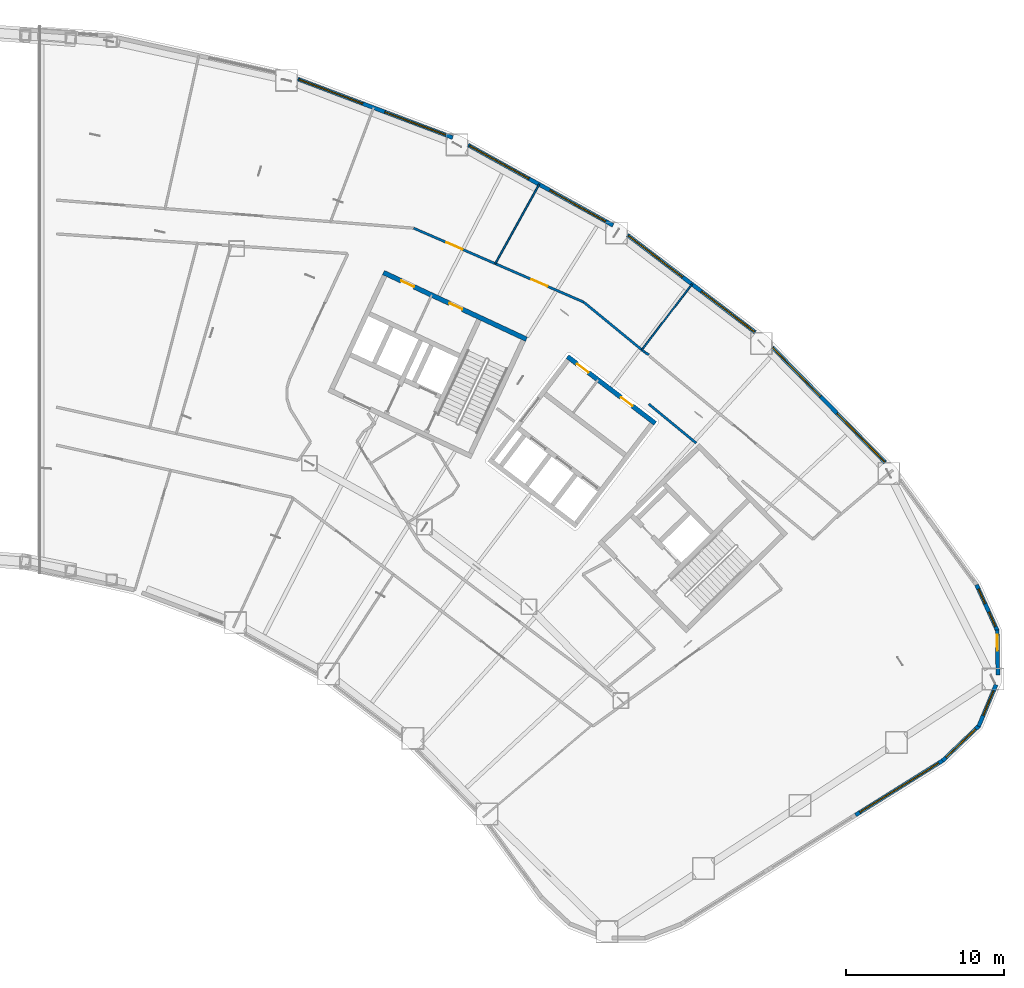
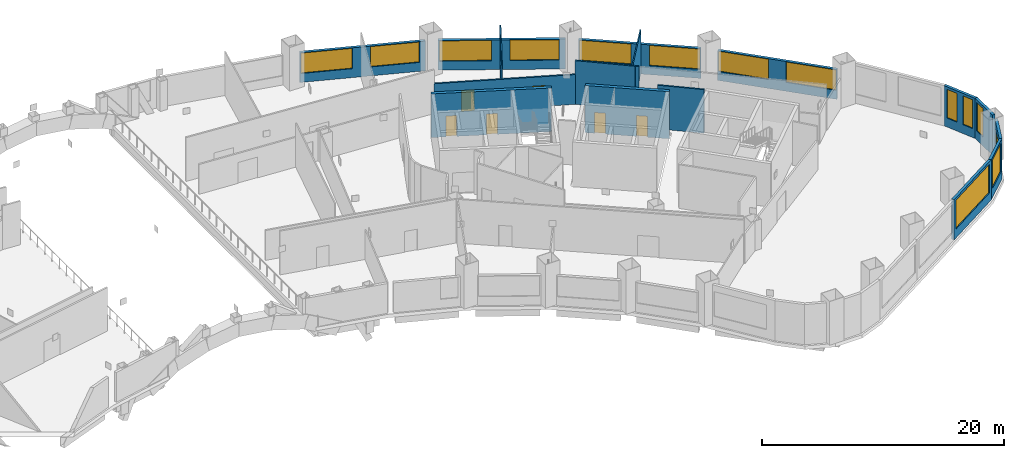
# One storey, part 12 of 24: 17 walls, 14 windows, 6 doors, 20 openings.
"""IFC4 building model written with IfcOpenShell, lengths in metres."""

import ifcopenshell
import ifcopenshell.guid

model = None  # the IFC model being written
_history = None  # IfcOwnerHistory: only IFC2X3 demands one
_inside = {}  # id of a spatial element -> (the spatial element, [elements in it])
_under = {}  # id of a project, library or spatial element -> (it, [spatial elements below it])
_declared = {}  # id of a project -> (the project, [libraries it declares])
_typed = {}  # id of a type object -> (the type object, [elements of that type])
_made_of = {}  # id of a material, layer set ... -> (it, [elements and type objects made of it])


def new_model(schema):
    """Start an empty IFC model of exactly this schema.

    Asked for "IFC4X3", IfcOpenShell would pick the latest addendum, in which some entities
    have other attributes; the version numbers below select the first issue.
    IFC2X3 requires an IfcOwnerHistory on every rooted entity: one is made here for all.
    """
    global model, _history
    if schema == "IFC4X3":
        model = ifcopenshell.file(schema_version=(4, 3, 0, 0))
    else:
        model = ifcopenshell.file(schema=schema)
    _inside.clear()
    _under.clear()
    _declared.clear()
    _typed.clear()
    _made_of.clear()
    _history = None
    if model.schema == "IFC2X3":
        org = make("IfcOrganization", Name="unknown")
        user = make(
            "IfcPersonAndOrganization",
            ThePerson=make("IfcPerson", FamilyName="unknown"),
            TheOrganization=org,
        )
        app = make(
            "IfcApplication",
            ApplicationDeveloper=org,
            Version="unknown",
            ApplicationFullName="unknown",
            ApplicationIdentifier="unknown",
        )
        _history = make(
            "IfcOwnerHistory",
            OwningUser=user,
            OwningApplication=app,
            ChangeAction="ADDED",
            CreationDate=0,
        )
    return model


def make(cls, **values):
    """One entity of the class cls with the attributes given. An attribute that is None is left unset."""
    return model.create_entity(
        cls, **{name: value for name, value in values.items() if value is not None}
    )


def rooted(cls, **values):
    """An entity with a GlobalId (a new one), such as an element, a storey or a relation."""
    return make(cls, GlobalId=ifcopenshell.guid.new(), OwnerHistory=_history, **values)


def si_unit(unit_type, name, prefix=None):
    """IfcSIUnit, for example si_unit("LENGTHUNIT", "METRE", prefix="MILLI")."""
    return make("IfcSIUnit", UnitType=unit_type, Prefix=prefix, Name=name)


def assignment(units):
    """IfcUnitAssignment: the units of a project."""
    return None if units is None else make("IfcUnitAssignment", Units=units)


def point(xyz):
    """IfcCartesianPoint."""
    return None if xyz is None else make("IfcCartesianPoint", Coordinates=xyz)


def direction(xyz):
    """IfcDirection."""
    return None if xyz is None else make("IfcDirection", DirectionRatios=xyz)


def frame(location, z_axis=None, x_axis=None):
    """IfcAxis2Placement3D, a coordinate frame: its origin and axes. An axis left out is left unset."""
    return make(
        "IfcAxis2Placement3D",
        Location=point(location),
        Axis=direction(z_axis),
        RefDirection=direction(x_axis),
    )


def frame_2d(location, x_axis=None):
    """IfcAxis2Placement2D, a coordinate frame in the plane: its origin and x axis."""
    return make(
        "IfcAxis2Placement2D", Location=point(location), RefDirection=direction(x_axis)
    )


def origin():
    """The frame at (0, 0, 0) with its axes left unset."""
    return frame((0.0, 0.0, 0.0))


def place(relative_to, where):
    """IfcLocalPlacement: puts the frame where relative to a parent placement (None: the world)."""
    return make(
        "IfcLocalPlacement", PlacementRelTo=relative_to, RelativePlacement=where
    )


def context(
    kind, dimensions, precision=None, world=None, true_north=None, identifier=None
):
    """IfcGeometricRepresentationContext, for example the 3D "Model" context."""
    return make(
        "IfcGeometricRepresentationContext",
        ContextIdentifier=identifier,
        ContextType=kind,
        CoordinateSpaceDimension=dimensions,
        Precision=precision,
        WorldCoordinateSystem=world,
        TrueNorth=true_north,
    )


def subcontext(parent, identifier, kind, view, scale=None):
    """IfcGeometricRepresentationSubContext, for example "Body" below "Model"."""
    return make(
        "IfcGeometricRepresentationSubContext",
        ContextIdentifier=identifier,
        ContextType=kind,
        ParentContext=parent,
        TargetScale=scale,
        TargetView=view,
    )


def project(units=None, contexts=None):
    """IfcProject with its units and contexts."""
    return rooted(
        "IfcProject",
        Name="project",
        RepresentationContexts=contexts,
        UnitsInContext=assignment(units),
    )


def spatial(cls, under=None, at=None, **own):
    """A site, building, storey or space (cls), placed at a placement, below another one or the project."""
    s = rooted(cls, ObjectPlacement=at, **own)
    if under is not None:
        _under.setdefault(under.id(), (under, []))[1].append(s)
    return s


def profile(cls, at=None, kind="AREA", **sizes):
    """A parametric profile (cls). Its sizes go by their IFC names, for example OverallWidth=200.0."""
    return make(cls, ProfileType=kind, Position=at, **sizes)


def rectangle(**sizes):
    """IfcRectangleProfileDef."""
    return profile("IfcRectangleProfileDef", **sizes)


def extrude(swept, where, along, depth):
    """IfcExtrudedAreaSolid: the profile swept, set in the frame where, extruded along a direction by depth."""
    return make(
        "IfcExtrudedAreaSolid",
        SweptArea=swept,
        Position=where,
        ExtrudedDirection=direction(along),
        Depth=depth,
    )


def shape(context_of_items, identifier, shape_type, items):
    """IfcShapeRepresentation: the items that make up one representation, for example the "Body"."""
    return make(
        "IfcShapeRepresentation",
        ContextOfItems=context_of_items,
        RepresentationIdentifier=identifier,
        RepresentationType=shape_type,
        Items=items,
    )


def material(Name=None, Category=None):
    """IfcMaterial."""
    return make("IfcMaterial", Name=Name, Category=Category)


def layer(
    of_material, thickness, ventilated=None, Name=None, Category=None, Priority=None
):
    """IfcMaterialLayer: one layer of a wall or slab, of a material (None: an air gap)."""
    return make(
        "IfcMaterialLayer",
        Material=of_material,
        LayerThickness=thickness,
        IsVentilated=ventilated,
        Name=Name,
        Category=Category,
        Priority=Priority,
    )


def layer_set(layers, Name=None):
    """IfcMaterialLayerSet."""
    return make("IfcMaterialLayerSet", MaterialLayers=layers, LayerSetName=Name)


def made_of(thing, what):
    """Note that an element or type object is made of a material, layer set ...; save() writes the relation."""
    if what is not None:
        _made_of.setdefault(what.id(), (what, []))[1].append(thing)
    return thing


def type_object(cls, material=None, **own):
    """A type object (cls), such as IfcWallType, which elements share."""
    return made_of(rooted(cls, **own), material)


def element(
    cls,
    number,
    at=None,
    inside=None,
    cuts=None,
    type_object=None,
    material=None,
    context=None,
    identifier="Body",
    shape_type=None,
    held_by="IfcProductDefinitionShape",
    body=None,
    shapes=None,
    **own,
):
    """One element of the class cls, such as IfcWall. Its Tag is "e" and its number.

    at: its placement. inside: the storey or other place that contains it. cuts: it is an
    opening in that element (IfcRelVoidsElement). A single representation is given by context,
    identifier, shape_type and body (its items); several are given by shapes. held_by: the class
    of the entity that holds the representations. save() writes the other relations.
    """
    e = rooted(cls, Tag="e%d" % number, ObjectPlacement=at, **own)
    if body is not None:
        shapes = [shape(context, identifier, shape_type, body)]
    if shapes is not None:
        e.Representation = make(held_by, Representations=shapes)
    if inside is not None:
        _inside.setdefault(inside.id(), (inside, []))[1].append(e)
    if cuts is not None:
        rooted(
            "IfcRelVoidsElement", RelatingBuildingElement=cuts, RelatedOpeningElement=e
        )
    if type_object is not None:
        _typed.setdefault(type_object.id(), (type_object, []))[1].append(e)
    return made_of(e, material)


def fill(opening, filler):
    """IfcRelFillsElement: the door or window that sits in an opening."""
    return rooted(
        "IfcRelFillsElement",
        RelatingOpeningElement=opening,
        RelatedBuildingElement=filler,
    )


def aggregate(whole, parts):
    """IfcRelAggregates: a whole, such as a stair, and the parts it consists of."""
    return rooted("IfcRelAggregates", RelatingObject=whole, RelatedObjects=parts)


def save(model, path):
    """Write the relations noted so far, then the file.

    IfcRelAggregates (storeys below a building ...), IfcRelContainedInSpatialStructure (elements
    in a storey), IfcRelDefinesByType, IfcRelAssociatesMaterial and IfcRelDeclares: one each for
    every whole, place, type object, material and project.
    """
    for whole, parts in _under.values():
        aggregate(whole, parts)
    for where, things in _inside.values():
        rooted(
            "IfcRelContainedInSpatialStructure",
            RelatedElements=things,
            RelatingStructure=where,
        )
    for kind, things in _typed.values():
        rooted("IfcRelDefinesByType", RelatedObjects=things, RelatingType=kind)
    for what, things in _made_of.values():
        rooted("IfcRelAssociatesMaterial", RelatedObjects=things, RelatingMaterial=what)
    for by, libraries in _declared.values():
        rooted("IfcRelDeclares", RelatingContext=by, RelatedDefinitions=libraries)
    model.write(path)


model = new_model("IFC4")

# Units and contexts
model_context = context("Model", 3, precision=1e-05, world=origin(), true_north=direction((0.0, 1.0)))
body_context = subcontext(model_context, "Body", "Model", "MODEL_VIEW")
ifc_project = project(units=[si_unit("LENGTHUNIT", "METRE"), si_unit("AREAUNIT", "SQUARE_METRE"), si_unit("VOLUMEUNIT", "CUBIC_METRE"), si_unit("PLANEANGLEUNIT", "RADIAN"), si_unit("MASSUNIT", "GRAM", prefix="KILO")], contexts=[model_context])

# Site, building, storey
site_placement = place(None, origin())
site = spatial("IfcSite", under=ifc_project, at=site_placement, CompositionType="ELEMENT")
building_placement = place(site_placement, origin())
building = spatial("IfcBuilding", under=site, at=building_placement, Name="Tuul Gate Civic Tower", CompositionType="ELEMENT")
storey_placement = place(building_placement, frame((0.0, 0.0, 21.89990234375)))
storey = spatial("IfcBuildingStorey", under=building, at=storey_placement, Name="Level 04", CompositionType="ELEMENT", Elevation=21.89990234375)

# Wall, openings, doors
ifc_material_1 = material(Name="Concrete C50/60", Category="concrete")
ifc_layer_1 = layer(ifc_material_1, 0.300048828125)
ifc_layer_set_1 = layer_set([ifc_layer_1], Name="Concrete C50/60")
wall_type_1 = type_object("IfcWallType", Name="Core wall C50/60", PredefinedType="SHEAR", material=ifc_layer_set_1)
wall_1_placement = place(storey_placement, frame((37.993408203125, 0.181884765625, 0.0), z_axis=(0.0, 0.0, 1.0), x_axis=(-0.906310338845, 0.422612789327, 0.0)))
wall_1 = element("IfcWall", 1, at=wall_1_placement, inside=storey, type_object=wall_type_1, Name="Core wall", PredefinedType="SHEAR", context=body_context, shape_type="SweptSolid", body=[
    extrude(rectangle(XDim=9.999755859375, YDim=0.300048828125, at=frame_2d((5.0, 0.0))), origin(), (0.0, 0.0, 1.0), 4.400146484375),
])
opening_1_placement = place(wall_1_placement, frame((4.487548828125, 0.0, 0.0)))
opening_1 = element("IfcOpeningElement", 2, at=opening_1_placement, cuts=wall_1, Name="Opening QD-D41", PredefinedType="OPENING", context=body_context, shape_type="SweptSolid", body=[
    extrude(rectangle(XDim=0.89990234375, YDim=2.10009765625, at=frame_2d((0.449951171875, 1.050048828125))), frame((0.0, 0.16015625, 0.0), z_axis=(0.0, -1.0, 0.0), x_axis=(1.0, 0.0, 0.0)), (0.0, 0.0, 1.0), 0.320068359375),
])
opening_2_placement = place(wall_1_placement, frame((7.862548828125, 0.0, 0.0)))
opening_2 = element("IfcOpeningElement", 3, at=opening_2_placement, cuts=wall_1, Name="Opening QD-D42", PredefinedType="OPENING", context=body_context, shape_type="SweptSolid", body=[
    extrude(rectangle(XDim=0.89990234375, YDim=2.10009765625, at=frame_2d((0.449951171875, 1.050048828125))), frame((0.0, 0.16015625, 0.0), z_axis=(0.0, -1.0, 0.0), x_axis=(1.0, 0.0, 0.0)), (0.0, 0.0, 1.0), 0.320068359375),
])
ifc_material_2 = material(Name="Timber door leaf", Category="wood")
door_type_1 = type_object("IfcDoorType", Name="Door D09", OperationType="NOTDEFINED", PredefinedType="DOOR", material=ifc_material_2)
door_1_placement = place(opening_1_placement, origin())
door_1 = element("IfcDoor", 4, at=door_1_placement, inside=storey, type_object=door_type_1, Name="Door QD-D41", OperationType="SINGLE_SWING_LEFT", OverallHeight=2.10009765625, OverallWidth=0.89990234375, PredefinedType="DOOR", context=body_context, shape_type="SweptSolid", body=[
    extrude(rectangle(XDim=0.89990234375, YDim=2.10009765625, at=frame_2d((0.449951171875, 1.050048828125))), frame((0.0, 0.02490234375, 0.0), z_axis=(0.0, -1.0, 0.0), x_axis=(1.0, 0.0, 0.0)), (0.0, 0.0, 1.0), 0.050048828125),
])
fill(opening_1, door_1)
door_2_placement = place(opening_2_placement, origin())
door_2 = element("IfcDoor", 5, at=door_2_placement, inside=storey, type_object=door_type_1, Name="Door QD-D42", OperationType="SINGLE_SWING_RIGHT", OverallHeight=2.10009765625, OverallWidth=0.89990234375, PredefinedType="DOOR", context=body_context, shape_type="SweptSolid", body=[
    extrude(rectangle(XDim=0.89990234375, YDim=2.10009765625, at=frame_2d((0.449951171875, 1.050048828125))), frame((0.0, 0.02490234375, 0.0), z_axis=(0.0, -1.0, 0.0), x_axis=(1.0, 0.0, 0.0)), (0.0, 0.0, 1.0), 0.050048828125),
])
fill(opening_2, door_2)

# Walls
ifc_material_3 = material(Name="Gypsum board partition")
ifc_layer_2 = layer(ifc_material_3, 0.14990234375)
ifc_layer_set_2 = layer_set([ifc_layer_2], Name="Gypsum board partition")
wall_type_2 = type_object("IfcWallType", Name="Corridor wall P150", PredefinedType="PARTITIONING", material=ifc_layer_set_2)
wall_2_placement = place(storey_placement, frame((41.61962890625, 2.536865234375, 0.0), z_axis=(0.0, 0.0, 1.0), x_axis=(0.772606894655, -0.634884703179, 0.0)))
element("IfcWall", 6, at=wall_2_placement, inside=storey, type_object=wall_type_2, Name="p006", PredefinedType="PARTITIONING", context=body_context, shape_type="SweptSolid", body=[
    extrude(rectangle(XDim=5.016845703125, YDim=0.14990234375, at=frame_2d((2.50830078125, 0.0))), origin(), (0.0, 0.0, 1.0), 4.400146484375),
])
wall_3_placement = place(storey_placement, frame((45.498779296875, -0.650634765625, 0.0), z_axis=(0.0, 0.0, 1.0), x_axis=(0.863749703074, -0.503921075605, 0.0)))
element("IfcWall", 7, at=wall_3_placement, inside=storey, type_object=wall_type_2, Name="p008", PredefinedType="PARTITIONING", context=body_context, shape_type="SweptSolid", body=[
    extrude(rectangle(XDim=0.30322265625, YDim=0.14990234375, at=frame_2d((0.151611328125, 0.0))), origin(), (0.0, 0.0, 1.0), 4.400146484375),
])
wall_4_placement = place(storey_placement, frame((45.74658203125, -3.927490234375, 0.0), z_axis=(0.0, 0.0, 1.0), x_axis=(0.77190125522, -0.635742441708, 0.0)))
element("IfcWall", 8, at=wall_4_placement, inside=storey, type_object=wall_type_2, Name="p040", PredefinedType="PARTITIONING", context=body_context, shape_type="SweptSolid", body=[
    extrude(rectangle(XDim=3.890869140625, YDim=0.14990234375, at=frame_2d((1.9453125, 0.0))), origin(), (0.0, 0.0, 1.0), 4.400146484375),
])

# Wall, openings, doors
ifc_material_4 = material(Name="Gypsum board partition")
ifc_layer_3 = layer(ifc_material_4, 0.14990234375)
ifc_layer_set_3 = layer_set([ifc_layer_3], Name="Gypsum board partition")
wall_type_3 = type_object("IfcWallType", Name="Corridor wall P150 3000 HIGH", PredefinedType="PARTITIONING", material=ifc_layer_set_3)
wall_5_placement = place(storey_placement, frame((30.8466796875, 7.22021484375, 0.0), z_axis=(0.0, 0.0, 1.0), x_axis=(0.917093186834, -0.398672906858, 0.0)))
wall_5 = element("IfcWall", 9, at=wall_5_placement, inside=storey, type_object=wall_type_3, Name="p011", PredefinedType="PARTITIONING", context=body_context, shape_type="SweptSolid", body=[
    extrude(rectangle(XDim=11.74560546875, YDim=0.14990234375, at=frame_2d((5.872802734375, 0.0))), origin(), (0.0, 0.0, 1.0), 3.0),
])
opening_3_placement = place(wall_5_placement, frame((8.140869140625, 0.0, 0.0)))
opening_3 = element("IfcOpeningElement", 10, at=opening_3_placement, cuts=wall_5, Name="Opening QD-D02", PredefinedType="OPENING", context=body_context, shape_type="SweptSolid", body=[
    extrude(rectangle(XDim=1.10009765625, YDim=2.10009765625, at=frame_2d((0.550048828125, 1.050048828125))), frame((0.0, 0.0849609375, 0.0), z_axis=(0.0, -1.0, 0.0), x_axis=(1.0, 0.0, 0.0)), (0.0, 0.0, 1.0), 0.169921875),
])
opening_4_placement = place(wall_5_placement, frame((2.26806640625, 0.0, 0.0)))
opening_4 = element("IfcOpeningElement", 11, at=opening_4_placement, cuts=wall_5, Name="Opening QD-D03", PredefinedType="OPENING", context=body_context, shape_type="SweptSolid", body=[
    extrude(rectangle(XDim=1.10009765625, YDim=2.10009765625, at=frame_2d((0.550048828125, 1.050048828125))), frame((0.0, 0.0849609375, 0.0), z_axis=(0.0, -1.0, 0.0), x_axis=(1.0, 0.0, 0.0)), (0.0, 0.0, 1.0), 0.169921875),
])
ifc_material_5 = material(Name="Timber door leaf", Category="wood")
door_type_2 = type_object("IfcDoorType", Name="Door D11", OperationType="NOTDEFINED", PredefinedType="DOOR", material=ifc_material_5)
door_3_placement = place(opening_3_placement, origin())
door_3 = element("IfcDoor", 12, at=door_3_placement, inside=storey, type_object=door_type_2, Name="Door QD-D02", OperationType="SINGLE_SWING_RIGHT", OverallHeight=2.10009765625, OverallWidth=1.10009765625, PredefinedType="DOOR", context=body_context, shape_type="SweptSolid", body=[
    extrude(rectangle(XDim=1.10009765625, YDim=2.10009765625, at=frame_2d((0.550048828125, 1.050048828125))), frame((0.0, 0.02490234375, 0.0), z_axis=(0.0, -1.0, 0.0), x_axis=(1.0, 0.0, 0.0)), (0.0, 0.0, 1.0), 0.050048828125),
])
fill(opening_3, door_3)
door_4_placement = place(opening_4_placement, origin())
door_4 = element("IfcDoor", 13, at=door_4_placement, inside=storey, type_object=door_type_2, Name="Door QD-D03", OperationType="SINGLE_SWING_RIGHT", OverallHeight=2.10009765625, OverallWidth=1.10009765625, PredefinedType="DOOR", context=body_context, shape_type="SweptSolid", body=[
    extrude(rectangle(XDim=1.10009765625, YDim=2.10009765625, at=frame_2d((0.550048828125, 1.050048828125))), frame((0.0, 0.02490234375, 0.0), z_axis=(0.0, -1.0, 0.0), x_axis=(1.0, 0.0, 0.0)), (0.0, 0.0, 1.0), 0.050048828125),
])
fill(opening_4, door_4)

# Wall, opening, window
ifc_material_6 = material(Name="Precast concrete C40/50", Category="concrete")
ifc_layer_4 = layer(ifc_material_6, 0.25)
ifc_layer_set_4 = layer_set([ifc_layer_4], Name="Precast concrete C40/50")
wall_type_4 = type_object("IfcWallType", Name="External wall", PredefinedType="STANDARD", material=ifc_layer_set_4)
wall_6_placement = place(storey_placement, frame((64.36962890625, -26.53076171875, 0.0), z_axis=(0.0, 0.0, 1.0), x_axis=(0.722378510216, 0.69149785826, 0.0)))
wall_6 = element("IfcWall", 14, at=wall_6_placement, inside=storey, type_object=wall_type_4, Name="External wall", PredefinedType="STANDARD", context=body_context, shape_type="SweptSolid", body=[
    extrude(rectangle(XDim=3.201904296875, YDim=0.25, at=frame_2d((1.60107421875, 0.0))), origin(), (0.0, 0.0, 1.0), 4.050048828125),
])
opening_5_placement = place(wall_6_placement, frame((0.301025390625, 0.0, 0.89990234375)))
opening_5 = element("IfcOpeningElement", 15, at=opening_5_placement, cuts=wall_6, Name="Opening W8", PredefinedType="OPENING", context=body_context, shape_type="SweptSolid", body=[
    extrude(rectangle(XDim=2.60009765625, YDim=2.89990234375, at=frame_2d((1.300048828125, 1.449951171875))), frame((0.0, 0.135009765625, 0.0), z_axis=(0.0, -1.0, 0.0), x_axis=(1.0, 0.0, 0.0)), (0.0, 0.0, 1.0), 0.27001953125),
])
ifc_material_7 = material(Name="Glass", Category="glass")
window_type_1 = type_object("IfcWindowType", Name="Window W8 2600 x 2900", PartitioningType="SINGLE_PANEL", PredefinedType="WINDOW", material=ifc_material_7)
window_1_placement = place(opening_5_placement, origin())
window_1 = element("IfcWindow", 16, at=window_1_placement, inside=storey, type_object=window_type_1, Name="Window", OverallHeight=2.89990234375, OverallWidth=2.60009765625, PartitioningType="SINGLE_PANEL", PredefinedType="WINDOW", context=body_context, shape_type="SweptSolid", body=[
    extrude(rectangle(XDim=2.60009765625, YDim=2.89990234375, at=frame_2d((1.300048828125, 1.449951171875))), frame((0.0, 0.030029296875, 0.0), z_axis=(0.0, -1.0, 0.0), x_axis=(1.0, 0.0, 0.0)), (0.0, 0.0, 1.0), 0.06005859375),
])
fill(opening_5, window_1)

wall_7_placement = place(storey_placement, frame((66.653564453125, -24.35888671875, 0.0), z_axis=(0.0, 0.0, 1.0), x_axis=(0.385734891678, 0.92260966467, 0.0)))
wall_7 = element("IfcWall", 17, at=wall_7_placement, inside=storey, type_object=wall_type_4, Name="External wall", PredefinedType="STANDARD", context=body_context, shape_type="SweptSolid", body=[
    extrude(rectangle(XDim=2.864013671875, YDim=0.25, at=frame_2d((1.43212890625, 0.0))), origin(), (0.0, 0.0, 1.0), 4.050048828125),
])
opening_6_placement = place(wall_7_placement, frame((0.7509765625, 0.0, 0.89990234375)))
opening_6 = element("IfcOpeningElement", 18, at=opening_6_placement, cuts=wall_7, Name="Opening W136", PredefinedType="OPENING", context=body_context, shape_type="SweptSolid", body=[
    extrude(rectangle(XDim=1.699951171875, YDim=2.449951171875, at=frame_2d((0.85009765625, 1.22509765625))), frame((0.0, 0.135009765625, 0.0), z_axis=(0.0, -1.0, 0.0), x_axis=(1.0, 0.0, 0.0)), (0.0, 0.0, 1.0), 0.27001953125),
])
ifc_material_8 = material(Name="Glass", Category="glass")
window_type_2 = type_object("IfcWindowType", Name="Window W136 1700 x 2450", PartitioningType="SINGLE_PANEL", PredefinedType="WINDOW", material=ifc_material_8)
window_2_placement = place(opening_6_placement, origin())
window_2 = element("IfcWindow", 19, at=window_2_placement, inside=storey, type_object=window_type_2, Name="Window", OverallHeight=2.449951171875, OverallWidth=1.699951171875, PartitioningType="SINGLE_PANEL", PredefinedType="WINDOW", context=body_context, shape_type="SweptSolid", body=[
    extrude(rectangle(XDim=1.699951171875, YDim=2.449951171875, at=frame_2d((0.85009765625, 1.22509765625))), frame((0.0, 0.030029296875, 0.0), z_axis=(0.0, -1.0, 0.0), x_axis=(1.0, 0.0, 0.0)), (0.0, 0.0, 1.0), 0.06005859375),
])
fill(opening_6, window_2)

wall_8_placement = place(storey_placement, frame((67.873779296875, -21.09716796875, 0.0), z_axis=(0.0, 0.0, 1.0), x_axis=(-0.014676530666, 0.999892293924, 0.0)))
wall_8 = element("IfcWall", 20, at=wall_8_placement, inside=storey, type_object=wall_type_4, Name="External wall", PredefinedType="STANDARD", context=body_context, shape_type="SweptSolid", body=[
    extrude(rectangle(XDim=2.844482421875, YDim=0.25, at=frame_2d((1.42236328125, 0.0))), origin(), (0.0, 0.0, 1.0), 4.050048828125),
])
opening_7_placement = place(wall_8_placement, frame((1.544189453125, 0.0, 0.89990234375)))
opening_7 = element("IfcOpeningElement", 21, at=opening_7_placement, cuts=wall_8, Name="Opening W10", PredefinedType="OPENING", context=body_context, shape_type="SweptSolid", body=[
    extrude(rectangle(XDim=1.0, YDim=2.89990234375, at=frame_2d((0.5, 1.449951171875))), frame((0.0, 0.135009765625, 0.0), z_axis=(0.0, -1.0, 0.0), x_axis=(1.0, 0.0, 0.0)), (0.0, 0.0, 1.0), 0.27001953125),
])
ifc_material_9 = material(Name="Glass", Category="glass")
window_type_3 = type_object("IfcWindowType", Name="Window W10 1000 x 2900", PartitioningType="SINGLE_PANEL", PredefinedType="WINDOW", material=ifc_material_9)
window_3_placement = place(opening_7_placement, origin())
window_3 = element("IfcWindow", 22, at=window_3_placement, inside=storey, type_object=window_type_3, Name="Window", OverallHeight=2.89990234375, OverallWidth=1.0, PartitioningType="SINGLE_PANEL", PredefinedType="WINDOW", context=body_context, shape_type="SweptSolid", body=[
    extrude(rectangle(XDim=1.0, YDim=2.89990234375, at=frame_2d((0.5, 1.449951171875))), frame((0.0, 0.030029296875, 0.0), z_axis=(0.0, -1.0, 0.0), x_axis=(1.0, 0.0, 0.0)), (0.0, 0.0, 1.0), 0.06005859375),
])
fill(opening_7, window_3)

# Wall, openings, windows
wall_9_placement = place(storey_placement, frame((67.843017578125, -18.302490234375, 0.0), z_axis=(0.0, 0.0, 1.0), x_axis=(-0.412481289983, 0.910966072592, 0.0)))
wall_9 = element("IfcWall", 23, at=wall_9_placement, inside=storey, type_object=wall_type_4, Name="External wall", PredefinedType="STANDARD", context=body_context, shape_type="SweptSolid", body=[
    extrude(rectangle(XDim=3.2021484375, YDim=0.25, at=frame_2d((1.60107421875, 0.0))), origin(), (0.0, 0.0, 1.0), 4.050048828125),
])
opening_8_placement = place(wall_9_placement, frame((0.300537109375, 0.0, 0.89990234375)))
opening_8 = element("IfcOpeningElement", 24, at=opening_8_placement, cuts=wall_9, Name="Opening W10", PredefinedType="OPENING", context=body_context, shape_type="SweptSolid", body=[
    extrude(rectangle(XDim=1.0, YDim=2.89990234375, at=frame_2d((0.5, 1.449951171875))), frame((0.0, 0.135009765625, 0.0), z_axis=(0.0, -1.0, 0.0), x_axis=(1.0, 0.0, 0.0)), (0.0, 0.0, 1.0), 0.27001953125),
])
opening_9_placement = place(wall_9_placement, frame((1.901611328125, 0.0, 0.89990234375)))
opening_9 = element("IfcOpeningElement", 25, at=opening_9_placement, cuts=wall_9, Name="Opening W10", PredefinedType="OPENING", context=body_context, shape_type="SweptSolid", body=[
    extrude(rectangle(XDim=1.0, YDim=2.89990234375, at=frame_2d((0.5, 1.449951171875))), frame((0.0, 0.135009765625, 0.0), z_axis=(0.0, -1.0, 0.0), x_axis=(1.0, 0.0, 0.0)), (0.0, 0.0, 1.0), 0.27001953125),
])
window_4_placement = place(opening_8_placement, origin())
window_4 = element("IfcWindow", 26, at=window_4_placement, inside=storey, type_object=window_type_3, Name="Window", OverallHeight=2.89990234375, OverallWidth=1.0, PartitioningType="SINGLE_PANEL", PredefinedType="WINDOW", context=body_context, shape_type="SweptSolid", body=[
    extrude(rectangle(XDim=1.0, YDim=2.89990234375, at=frame_2d((0.5, 1.449951171875))), frame((0.0, 0.030029296875, 0.0), z_axis=(0.0, -1.0, 0.0), x_axis=(1.0, 0.0, 0.0)), (0.0, 0.0, 1.0), 0.06005859375),
])
fill(opening_8, window_4)
window_5_placement = place(opening_9_placement, origin())
window_5 = element("IfcWindow", 27, at=window_5_placement, inside=storey, type_object=window_type_3, Name="Window", OverallHeight=2.89990234375, OverallWidth=1.0, PartitioningType="SINGLE_PANEL", PredefinedType="WINDOW", context=body_context, shape_type="SweptSolid", body=[
    extrude(rectangle(XDim=1.0, YDim=2.89990234375, at=frame_2d((0.5, 1.449951171875))), frame((0.0, 0.030029296875, 0.0), z_axis=(0.0, -1.0, 0.0), x_axis=(1.0, 0.0, 0.0)), (0.0, 0.0, 1.0), 0.06005859375),
])
fill(opening_9, window_5)

# Wall, opening, window
wall_10_placement = place(storey_placement, frame((58.8525390625, -29.975341796875, 0.0), z_axis=(0.0, 0.0, 1.0), x_axis=(0.84801510827, 0.529972052232, 0.0)))
wall_10 = element("IfcWall", 28, at=wall_10_placement, inside=storey, type_object=wall_type_4, Name="External wall", PredefinedType="STANDARD", context=body_context, shape_type="SweptSolid", body=[
    extrude(rectangle(XDim=6.529541015625, YDim=0.25, at=frame_2d((3.2646484375, 0.0))), origin(), (0.0, 0.0, 1.0), 4.050048828125),
])
opening_10_placement = place(wall_10_placement, frame((0.314697265625, 0.0, 0.89990234375)))
opening_10 = element("IfcOpeningElement", 29, at=opening_10_placement, cuts=wall_10, Name="Opening W14", PredefinedType="OPENING", context=body_context, shape_type="SweptSolid", body=[
    extrude(rectangle(XDim=5.89990234375, YDim=2.89990234375, at=frame_2d((2.949951171875, 1.449951171875))), frame((0.0, 0.135009765625, 0.0), z_axis=(0.0, -1.0, 0.0), x_axis=(1.0, 0.0, 0.0)), (0.0, 0.0, 1.0), 0.27001953125),
])
ifc_material_10 = material(Name="Glass", Category="glass")
window_type_4 = type_object("IfcWindowType", Name="Window W14 5900 x 2900", PartitioningType="SINGLE_PANEL", PredefinedType="WINDOW", material=ifc_material_10)
window_6_placement = place(opening_10_placement, origin())
window_6 = element("IfcWindow", 30, at=window_6_placement, inside=storey, type_object=window_type_4, Name="Window", OverallHeight=2.89990234375, OverallWidth=5.89990234375, PartitioningType="SINGLE_PANEL", PredefinedType="WINDOW", context=body_context, shape_type="SweptSolid", body=[
    extrude(rectangle(XDim=5.89990234375, YDim=2.89990234375, at=frame_2d((2.949951171875, 1.449951171875))), frame((0.0, 0.030029296875, 0.0), z_axis=(0.0, -1.0, 0.0), x_axis=(1.0, 0.0, 0.0)), (0.0, 0.0, 1.0), 0.06005859375),
])
fill(opening_10, window_6)

# Wall, openings, windows
ifc_material_11 = material(Name="Precast concrete C40/50", Category="concrete")
ifc_layer_5 = layer(ifc_material_11, 0.25)
ifc_layer_set_5 = layer_set([ifc_layer_5], Name="Precast concrete C40/50")
wall_type_5 = type_object("IfcWallType", Name="External wall 3000 HIGH", PredefinedType="STANDARD", material=ifc_layer_set_5)
wall_11_placement = place(storey_placement, frame((60.72998046875, -7.6279296875, 0.0), z_axis=(0.0, 0.0, 1.0), x_axis=(-0.700010487511, 0.714132562886, 0.0)))
wall_11 = element("IfcWall", 31, at=wall_11_placement, inside=storey, type_object=wall_type_5, Name="External wall", PredefinedType="STANDARD", context=body_context, shape_type="SweptSolid", body=[
    extrude(rectangle(XDim=10.217041015625, YDim=0.25, at=frame_2d((5.1083984375, 0.0))), origin(), (0.0, 0.0, 1.0), 3.0),
])
opening_11_placement = place(wall_11_placement, frame((0.05908203125, 0.0, 0.89990234375)))
opening_11 = element("IfcOpeningElement", 32, at=opening_11_placement, cuts=wall_11, Name="Opening W90", PredefinedType="OPENING", context=body_context, shape_type="SweptSolid", body=[
    extrude(rectangle(XDim=4.300048828125, YDim=2.050048828125, at=frame_2d((2.14990234375, 1.02490234375))), frame((0.0, 0.135009765625, 0.0), z_axis=(0.0, -1.0, 0.0), x_axis=(1.0, 0.0, 0.0)), (0.0, 0.0, 1.0), 0.27001953125),
])
opening_12_placement = place(wall_11_placement, frame((5.864990234375, 0.0, 0.89990234375)))
opening_12 = element("IfcOpeningElement", 33, at=opening_12_placement, cuts=wall_11, Name="Opening W90", PredefinedType="OPENING", context=body_context, shape_type="SweptSolid", body=[
    extrude(rectangle(XDim=4.300048828125, YDim=2.050048828125, at=frame_2d((2.14990234375, 1.02490234375))), frame((0.0, 0.135009765625, 0.0), z_axis=(0.0, -1.0, 0.0), x_axis=(1.0, 0.0, 0.0)), (0.0, 0.0, 1.0), 0.27001953125),
])
ifc_material_12 = material(Name="Glass", Category="glass")
window_type_5 = type_object("IfcWindowType", Name="Window W90 4300 x 2050", PartitioningType="SINGLE_PANEL", PredefinedType="WINDOW", material=ifc_material_12)
window_7_placement = place(opening_11_placement, origin())
window_7 = element("IfcWindow", 34, at=window_7_placement, inside=storey, type_object=window_type_5, Name="Window", OverallHeight=2.050048828125, OverallWidth=4.300048828125, PartitioningType="SINGLE_PANEL", PredefinedType="WINDOW", context=body_context, shape_type="SweptSolid", body=[
    extrude(rectangle(XDim=4.300048828125, YDim=2.050048828125, at=frame_2d((2.14990234375, 1.02490234375))), frame((0.0, 0.030029296875, 0.0), z_axis=(0.0, -1.0, 0.0), x_axis=(1.0, 0.0, 0.0)), (0.0, 0.0, 1.0), 0.06005859375),
])
fill(opening_11, window_7)
window_8_placement = place(opening_12_placement, origin())
window_8 = element("IfcWindow", 35, at=window_8_placement, inside=storey, type_object=window_type_5, Name="Window", OverallHeight=2.050048828125, OverallWidth=4.300048828125, PartitioningType="SINGLE_PANEL", PredefinedType="WINDOW", context=body_context, shape_type="SweptSolid", body=[
    extrude(rectangle(XDim=4.300048828125, YDim=2.050048828125, at=frame_2d((2.14990234375, 1.02490234375))), frame((0.0, 0.030029296875, 0.0), z_axis=(0.0, -1.0, 0.0), x_axis=(1.0, 0.0, 0.0)), (0.0, 0.0, 1.0), 0.06005859375),
])
fill(opening_12, window_8)

wall_12_placement = place(storey_placement, frame((52.495361328125, 0.617919921875, 0.0), z_axis=(0.0, 0.0, 1.0), x_axis=(-0.795598395873, 0.605824390796, 0.0)))
wall_12 = element("IfcWall", 36, at=wall_12_placement, inside=storey, type_object=wall_type_5, Name="External wall", PredefinedType="STANDARD", context=body_context, shape_type="SweptSolid", body=[
    extrude(rectangle(XDim=10.186279296875, YDim=0.25, at=frame_2d((5.09326171875, 0.0))), origin(), (0.0, 0.0, 1.0), 3.0),
])
opening_13_placement = place(wall_12_placement, frame((0.0849609375, 0.0, 0.89990234375)))
opening_13 = element("IfcOpeningElement", 37, at=opening_13_placement, cuts=wall_12, Name="Opening W91", PredefinedType="OPENING", context=body_context, shape_type="SweptSolid", body=[
    extrude(rectangle(XDim=4.199951171875, YDim=2.050048828125, at=frame_2d((2.10009765625, 1.02490234375))), frame((0.0, 0.135009765625, 0.0), z_axis=(0.0, -1.0, 0.0), x_axis=(1.0, 0.0, 0.0)), (0.0, 0.0, 1.0), 0.27001953125),
])
opening_14_placement = place(wall_12_placement, frame((5.798095703125, 0.0, 0.89990234375)))
opening_14 = element("IfcOpeningElement", 38, at=opening_14_placement, cuts=wall_12, Name="Opening W90", PredefinedType="OPENING", context=body_context, shape_type="SweptSolid", body=[
    extrude(rectangle(XDim=4.300048828125, YDim=2.050048828125, at=frame_2d((2.14990234375, 1.02490234375))), frame((0.0, 0.135009765625, 0.0), z_axis=(0.0, -1.0, 0.0), x_axis=(1.0, 0.0, 0.0)), (0.0, 0.0, 1.0), 0.27001953125),
])
window_9_placement = place(opening_14_placement, origin())
window_9 = element("IfcWindow", 39, at=window_9_placement, inside=storey, type_object=window_type_5, Name="Window", OverallHeight=2.050048828125, OverallWidth=4.300048828125, PartitioningType="SINGLE_PANEL", PredefinedType="WINDOW", context=body_context, shape_type="SweptSolid", body=[
    extrude(rectangle(XDim=4.300048828125, YDim=2.050048828125, at=frame_2d((2.14990234375, 1.02490234375))), frame((0.0, 0.030029296875, 0.0), z_axis=(0.0, -1.0, 0.0), x_axis=(1.0, 0.0, 0.0)), (0.0, 0.0, 1.0), 0.06005859375),
])
fill(opening_14, window_9)
ifc_material_13 = material(Name="Glass", Category="glass")
window_type_6 = type_object("IfcWindowType", Name="Window W91 4200 x 2050", PartitioningType="SINGLE_PANEL", PredefinedType="WINDOW", material=ifc_material_13)
window_10_placement = place(opening_13_placement, origin())
window_10 = element("IfcWindow", 40, at=window_10_placement, inside=storey, type_object=window_type_6, Name="Window", OverallHeight=2.050048828125, OverallWidth=4.199951171875, PartitioningType="SINGLE_PANEL", PredefinedType="WINDOW", context=body_context, shape_type="SweptSolid", body=[
    extrude(rectangle(XDim=4.199951171875, YDim=2.050048828125, at=frame_2d((2.10009765625, 1.02490234375))), frame((0.0, 0.030029296875, 0.0), z_axis=(0.0, -1.0, 0.0), x_axis=(1.0, 0.0, 0.0)), (0.0, 0.0, 1.0), 0.06005859375),
])
fill(opening_13, window_10)

wall_13_placement = place(storey_placement, frame((43.48388671875, 7.39990234375, 0.0), z_axis=(0.0, 0.0, 1.0), x_axis=(-0.874646654652, 0.48476100246, 0.0)))
wall_13 = element("IfcWall", 41, at=wall_13_placement, inside=storey, type_object=wall_type_5, Name="External wall", PredefinedType="STANDARD", context=body_context, shape_type="SweptSolid", body=[
    extrude(rectangle(XDim=10.50927734375, YDim=0.25, at=frame_2d((5.254638671875, 0.0))), origin(), (0.0, 0.0, 1.0), 3.0),
])
opening_15_placement = place(wall_13_placement, frame((0.5380859375, 0.0, 0.89990234375)))
opening_15 = element("IfcOpeningElement", 42, at=opening_15_placement, cuts=wall_13, Name="Opening W92", PredefinedType="OPENING", context=body_context, shape_type="SweptSolid", body=[
    extrude(rectangle(XDim=4.050048828125, YDim=2.050048828125, at=frame_2d((2.02490234375, 1.02490234375))), frame((0.0, 0.135009765625, 0.0), z_axis=(0.0, -1.0, 0.0), x_axis=(1.0, 0.0, 0.0)), (0.0, 0.0, 1.0), 0.27001953125),
])
opening_16_placement = place(wall_13_placement, frame((6.10888671875, 0.0, 0.89990234375)))
opening_16 = element("IfcOpeningElement", 43, at=opening_16_placement, cuts=wall_13, Name="Opening W90", PredefinedType="OPENING", context=body_context, shape_type="SweptSolid", body=[
    extrude(rectangle(XDim=4.300048828125, YDim=2.050048828125, at=frame_2d((2.14990234375, 1.02490234375))), frame((0.0, 0.135009765625, 0.0), z_axis=(0.0, -1.0, 0.0), x_axis=(1.0, 0.0, 0.0)), (0.0, 0.0, 1.0), 0.27001953125),
])
window_11_placement = place(opening_16_placement, origin())
window_11 = element("IfcWindow", 44, at=window_11_placement, inside=storey, type_object=window_type_5, Name="Window", OverallHeight=2.050048828125, OverallWidth=4.300048828125, PartitioningType="SINGLE_PANEL", PredefinedType="WINDOW", context=body_context, shape_type="SweptSolid", body=[
    extrude(rectangle(XDim=4.300048828125, YDim=2.050048828125, at=frame_2d((2.14990234375, 1.02490234375))), frame((0.0, 0.030029296875, 0.0), z_axis=(0.0, -1.0, 0.0), x_axis=(1.0, 0.0, 0.0)), (0.0, 0.0, 1.0), 0.06005859375),
])
fill(opening_16, window_11)
ifc_material_14 = material(Name="Glass", Category="glass")
window_type_7 = type_object("IfcWindowType", Name="Window W92 4050 x 2050", PartitioningType="SINGLE_PANEL", PredefinedType="WINDOW", material=ifc_material_14)
window_12_placement = place(opening_15_placement, origin())
window_12 = element("IfcWindow", 45, at=window_12_placement, inside=storey, type_object=window_type_7, Name="Window", OverallHeight=2.050048828125, OverallWidth=4.050048828125, PartitioningType="SINGLE_PANEL", PredefinedType="WINDOW", context=body_context, shape_type="SweptSolid", body=[
    extrude(rectangle(XDim=4.050048828125, YDim=2.050048828125, at=frame_2d((2.02490234375, 1.02490234375))), frame((0.0, 0.030029296875, 0.0), z_axis=(0.0, -1.0, 0.0), x_axis=(1.0, 0.0, 0.0)), (0.0, 0.0, 1.0), 0.06005859375),
])
fill(opening_15, window_12)

wall_14_placement = place(storey_placement, frame((33.31689453125, 12.962158203125, 0.0), z_axis=(0.0, 0.0, 1.0), x_axis=(-0.935356101005, 0.353707455833, 0.0)))
wall_14 = element("IfcWall", 46, at=wall_14_placement, inside=storey, type_object=wall_type_5, Name="External wall", PredefinedType="STANDARD", context=body_context, shape_type="SweptSolid", body=[
    extrude(rectangle(XDim=10.50390625, YDim=0.25, at=frame_2d((5.251953125, 0.0))), origin(), (0.0, 0.0, 1.0), 3.0),
])
opening_17_placement = place(wall_14_placement, frame((0.4990234375, 0.0, 0.89990234375)))
opening_17 = element("IfcOpeningElement", 47, at=opening_17_placement, cuts=wall_14, Name="Opening W93", PredefinedType="OPENING", context=body_context, shape_type="SweptSolid", body=[
    extrude(rectangle(XDim=4.10009765625, YDim=2.050048828125, at=frame_2d((2.050048828125, 1.02490234375))), frame((0.0, 0.135009765625, 0.0), z_axis=(0.0, -1.0, 0.0), x_axis=(1.0, 0.0, 0.0)), (0.0, 0.0, 1.0), 0.27001953125),
])
opening_18_placement = place(wall_14_placement, frame((6.10888671875, 0.0, 0.89990234375)))
opening_18 = element("IfcOpeningElement", 48, at=opening_18_placement, cuts=wall_14, Name="Opening W90", PredefinedType="OPENING", context=body_context, shape_type="SweptSolid", body=[
    extrude(rectangle(XDim=4.300048828125, YDim=2.050048828125, at=frame_2d((2.14990234375, 1.02490234375))), frame((0.0, 0.135009765625, 0.0), z_axis=(0.0, -1.0, 0.0), x_axis=(1.0, 0.0, 0.0)), (0.0, 0.0, 1.0), 0.27001953125),
])
window_13_placement = place(opening_18_placement, origin())
window_13 = element("IfcWindow", 49, at=window_13_placement, inside=storey, type_object=window_type_5, Name="Window", OverallHeight=2.050048828125, OverallWidth=4.300048828125, PartitioningType="SINGLE_PANEL", PredefinedType="WINDOW", context=body_context, shape_type="SweptSolid", body=[
    extrude(rectangle(XDim=4.300048828125, YDim=2.050048828125, at=frame_2d((2.14990234375, 1.02490234375))), frame((0.0, 0.030029296875, 0.0), z_axis=(0.0, -1.0, 0.0), x_axis=(1.0, 0.0, 0.0)), (0.0, 0.0, 1.0), 0.06005859375),
])
fill(opening_18, window_13)
ifc_material_15 = material(Name="Glass", Category="glass")
window_type_8 = type_object("IfcWindowType", Name="Window W93 4100 x 2050", PartitioningType="SINGLE_PANEL", PredefinedType="WINDOW", material=ifc_material_15)
window_14_placement = place(opening_17_placement, origin())
window_14 = element("IfcWindow", 50, at=window_14_placement, inside=storey, type_object=window_type_8, Name="Window", OverallHeight=2.050048828125, OverallWidth=4.10009765625, PartitioningType="SINGLE_PANEL", PredefinedType="WINDOW", context=body_context, shape_type="SweptSolid", body=[
    extrude(rectangle(XDim=4.10009765625, YDim=2.050048828125, at=frame_2d((2.050048828125, 1.02490234375))), frame((0.0, 0.030029296875, 0.0), z_axis=(0.0, -1.0, 0.0), x_axis=(1.0, 0.0, 0.0)), (0.0, 0.0, 1.0), 0.06005859375),
])
fill(opening_17, window_14)

# Wall, openings, doors
ifc_material_16 = material(Name="Concrete C40/50", Category="concrete")
ifc_layer_6 = layer(ifc_material_16, 0.300048828125)
ifc_layer_set_6 = layer_set([ifc_layer_6], Name="Concrete C40/50")
wall_type_6 = type_object("IfcWallType", Name="Lift shaft wall C40/50", PredefinedType="STANDARD", material=ifc_layer_set_6)
wall_15_placement = place(storey_placement, frame((46.1591796875, -5.1533203125, -0.349853515625), z_axis=(0.0, 0.0, 1.0), x_axis=(-0.795579811045, 0.605848796531, 0.0)))
wall_15 = element("IfcWall", 51, at=wall_15_placement, inside=storey, type_object=wall_type_6, Name="Shaft wall", PredefinedType="STANDARD", context=body_context, shape_type="SweptSolid", body=[
    extrude(rectangle(XDim=7.0, YDim=0.300048828125, at=frame_2d((3.5, 0.0))), origin(), (0.0, 0.0, 1.0), 4.75),
])
opening_19_placement = place(wall_15_placement, frame((1.824951171875, 0.0, 0.0)))
opening_19 = element("IfcOpeningElement", 52, at=opening_19_placement, cuts=wall_15, Name="Opening QD-D38", PredefinedType="OPENING", context=body_context, shape_type="SweptSolid", body=[
    extrude(rectangle(XDim=0.89990234375, YDim=2.10009765625, at=frame_2d((0.449951171875, 1.050048828125))), frame((0.0, 0.16015625, 0.0), z_axis=(0.0, -1.0, 0.0), x_axis=(1.0, 0.0, 0.0)), (0.0, 0.0, 1.0), 0.320068359375),
])
opening_20_placement = place(wall_15_placement, frame((5.324951171875, 0.0, 0.0)))
opening_20 = element("IfcOpeningElement", 53, at=opening_20_placement, cuts=wall_15, Name="Opening QD-D39", PredefinedType="OPENING", context=body_context, shape_type="SweptSolid", body=[
    extrude(rectangle(XDim=0.89990234375, YDim=2.10009765625, at=frame_2d((0.449951171875, 1.050048828125))), frame((0.0, 0.16015625, 0.0), z_axis=(0.0, -1.0, 0.0), x_axis=(1.0, 0.0, 0.0)), (0.0, 0.0, 1.0), 0.320068359375),
])
door_5_placement = place(opening_19_placement, origin())
door_5 = element("IfcDoor", 54, at=door_5_placement, inside=storey, type_object=door_type_1, Name="Door QD-D38", OperationType="SINGLE_SWING_LEFT", OverallHeight=2.10009765625, OverallWidth=0.89990234375, PredefinedType="DOOR", context=body_context, shape_type="SweptSolid", body=[
    extrude(rectangle(XDim=0.89990234375, YDim=2.10009765625, at=frame_2d((0.449951171875, 1.050048828125))), frame((0.0, 0.02490234375, 0.0), z_axis=(0.0, -1.0, 0.0), x_axis=(1.0, 0.0, 0.0)), (0.0, 0.0, 1.0), 0.050048828125),
])
fill(opening_19, door_5)
door_6_placement = place(opening_20_placement, origin())
door_6 = element("IfcDoor", 55, at=door_6_placement, inside=storey, type_object=door_type_1, Name="Door QD-D39", OperationType="SINGLE_SWING_RIGHT", OverallHeight=2.10009765625, OverallWidth=0.89990234375, PredefinedType="DOOR", context=body_context, shape_type="SweptSolid", body=[
    extrude(rectangle(XDim=0.89990234375, YDim=2.10009765625, at=frame_2d((0.449951171875, 1.050048828125))), frame((0.0, 0.02490234375, 0.0), z_axis=(0.0, -1.0, 0.0), x_axis=(1.0, 0.0, 0.0)), (0.0, 0.0, 1.0), 0.050048828125),
])
fill(opening_20, door_6)

# Walls
ifc_material_17 = material(Name="Gypsum board partition")
ifc_layer_7 = layer(ifc_material_17, 0.10009765625)
ifc_layer_set_7 = layer_set([ifc_layer_7], Name="Gypsum board partition")
wall_type_7 = type_object("IfcWallType", Name="Partition P100", PredefinedType="PARTITIONING", material=ifc_layer_set_7)
wall_16_placement = place(storey_placement, frame((45.307861328125, -0.494140625, 0.0), z_axis=(0.0, 0.0, 1.0), x_axis=(0.605801918368, 0.795615507454, 0.0)))
element("IfcWall", 56, at=wall_16_placement, inside=storey, type_object=wall_type_7, Name="p001", PredefinedType="PARTITIONING", context=body_context, shape_type="SweptSolid", body=[
    extrude(rectangle(XDim=5.243896484375, YDim=0.10009765625, at=frame_2d((2.6220703125, 0.0))), origin(), (0.0, 0.0, 1.0), 4.400146484375),
])
wall_17_placement = place(storey_placement, frame((36.015380859375, 4.973388671875, 0.0), z_axis=(0.0, 0.0, 1.0), x_axis=(0.484816843933, 0.874615702946, 0.0)))
element("IfcWall", 57, at=wall_17_placement, inside=storey, type_object=wall_type_7, Name="p010", PredefinedType="PARTITIONING", context=body_context, shape_type="SweptSolid", body=[
    extrude(rectangle(XDim=5.747802734375, YDim=0.10009765625, at=frame_2d((2.8740234375, 0.0))), origin(), (0.0, 0.0, 1.0), 4.400146484375),
])

save(model, "model.ifc")
